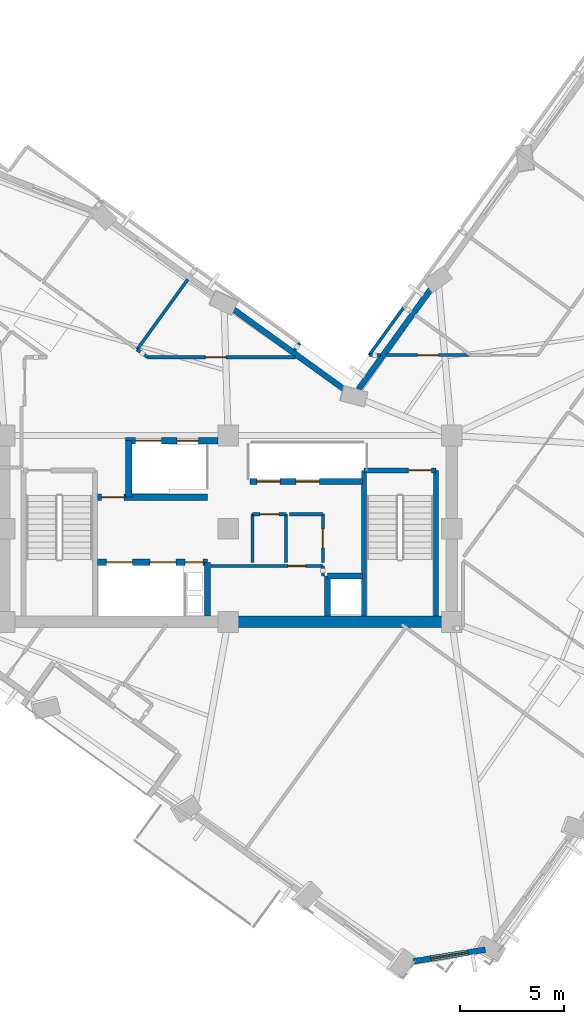
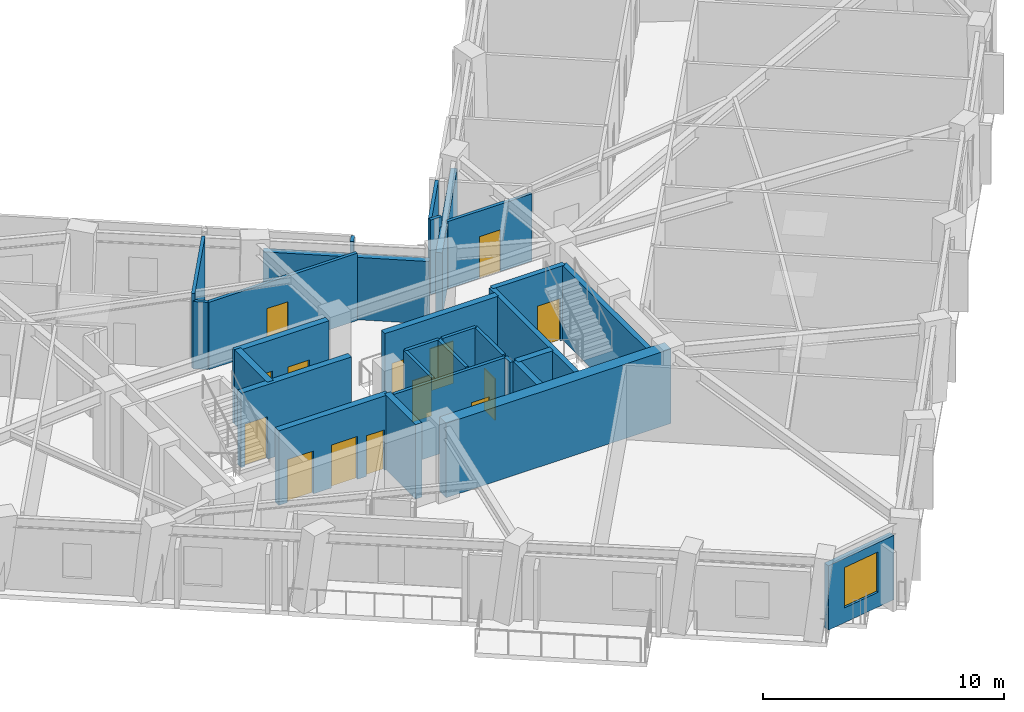
# One storey, part 5 of 13: 29 walls, 14 doors, 1 window, 15 openings.
"""IFC4 building model written with IfcOpenShell, lengths in metres."""

from ifc_helpers import new_model, si_unit, direction, frame, frame_2d, origin, place, context, subcontext, project, spatial, rectangle, extrude, material, layer, layer_set, type_object, element, fill, save


model = new_model("IFC4")

# Units and contexts
model_context = context("Model", 3, precision=1e-05, world=origin(), true_north=direction((0.0, 1.0)))
body_context = subcontext(model_context, "Body", "Model", "MODEL_VIEW")
ifc_project = project(units=[si_unit("LENGTHUNIT", "METRE"), si_unit("AREAUNIT", "SQUARE_METRE"), si_unit("VOLUMEUNIT", "CUBIC_METRE"), si_unit("PLANEANGLEUNIT", "RADIAN"), si_unit("MASSUNIT", "GRAM", prefix="KILO")], contexts=[model_context])

# Site, building, storey
site_placement = place(None, origin())
site = spatial("IfcSite", under=ifc_project, at=site_placement, CompositionType="ELEMENT")
building_placement = place(site_placement, origin())
building = spatial("IfcBuilding", under=site, at=building_placement, Name="Gaonmaruhae Medical Tower", CompositionType="ELEMENT")
storey_placement = place(building_placement, frame((0.0, 0.0, 255.199951171875)))
storey = spatial("IfcBuildingStorey", under=building, at=storey_placement, Name="L61", CompositionType="ELEMENT", Elevation=255.199951171875)

# Walls
ifc_material_1 = material(Name="Concrete C50/60", Category="concrete")
ifc_layer_1 = layer(ifc_material_1, 0.550048828125)
ifc_layer_set_1 = layer_set([ifc_layer_1], Name="Concrete C50/60")
wall_type_1 = type_object("IfcWallType", Name="CW-550 Mid-High Core Shear Wall", PredefinedType="SHEAR", material=ifc_layer_set_1)
wall_1_placement = place(storey_placement, frame((24.800048828125, 7.800048828125, 0.0), z_axis=(0.0, 0.0, 1.0), x_axis=(1.0, 0.0, 0.0)))
element("IfcWall", 1, at=wall_1_placement, inside=storey, type_object=wall_type_1, Name="L61 Core Shear Wall CSW-S2", PredefinedType="SHEAR", context=body_context, shape_type="SweptSolid", body=[
    extrude(rectangle(XDim=10.800048828125, YDim=0.550048828125, at=frame_2d((5.39990234375, 0.0))), origin(), (0.0, 0.0, 1.0), 3.780029296875),
])
ifc_material_2 = material(Name="Precast concrete C45/55", Category="concrete")
ifc_layer_2 = layer(ifc_material_2, 0.280029296875)
ifc_layer_set_2 = layer_set([ifc_layer_2], Name="Precast concrete C45/55")
wall_type_2 = type_object("IfcWallType", Name="EW-280 Upper Precast Masonry-Frame Facade Wall", PredefinedType="SOLIDWALL", material=ifc_layer_set_2)
wall_2_placement = place(storey_placement, frame((31.095703125, 19.02880859375, 0.0), z_axis=(0.0, 0.0, 1.0), x_axis=(0.585632397532, 0.810576766852, 0.0)))
element("IfcWall", 2, at=wall_2_placement, inside=storey, type_object=wall_type_2, Name="L61 Precast Masonry-Frame Wall EN02-KN01", PredefinedType="SOLIDWALL", context=body_context, shape_type="SweptSolid", body=[
    extrude(rectangle(XDim=6.158203125, YDim=0.280029296875, at=frame_2d((3.0791015625, 0.0))), origin(), (0.0, 0.0, 1.0), 3.26513671875),
])
wall_3_placement = place(storey_placement, frame((24.940185546875, 22.976318359375, 0.0), z_axis=(0.0, 0.0, 1.0), x_axis=(0.81054690161, -0.585673731945, 0.0)))
element("IfcWall", 3, at=wall_3_placement, inside=storey, type_object=wall_type_2, Name="L61 Precast Masonry-Frame Wall KN01-NE01", PredefinedType="SOLIDWALL", context=body_context, shape_type="SweptSolid", body=[
    extrude(rectangle(XDim=6.958251953125, YDim=0.280029296875, at=frame_2d((3.47900390625, 0.0))), origin(), (0.0, 0.0, 1.0), 3.1650390625),
])

# Wall, opening, window
wall_4_placement = place(storey_placement, frame((37.222412109375, -8.0283203125, 0.0), z_axis=(0.0, 0.0, 1.0), x_axis=(-0.987278717386, -0.158999164136, 0.0)))
wall_4 = element("IfcWall", 4, at=wall_4_placement, inside=storey, type_object=wall_type_2, Name="L61 Precast Masonry-Frame Wall W06-S01", PredefinedType="SOLIDWALL", context=body_context, shape_type="SweptSolid", body=[
    extrude(rectangle(XDim=3.520751953125, YDim=0.280029296875, at=frame_2d((1.76025390625, 0.0))), origin(), (0.0, 0.0, 1.0), 3.26513671875),
])
opening_1_placement = place(wall_4_placement, frame((0.859619140625, 0.0, 0.75)))
opening_1 = element("IfcOpeningElement", 5, at=opening_1_placement, cuts=wall_4, Name="Opening WN-04", PredefinedType="OPENING", context=body_context, shape_type="SweptSolid", body=[
    extrude(rectangle(XDim=1.800048828125, YDim=2.050048828125, at=frame_2d((0.89990234375, 1.02490234375))), frame((0.0, 0.14990234375, 0.0), z_axis=(0.0, -1.0, 0.0), x_axis=(1.0, 0.0, 0.0)), (0.0, 0.0, 1.0), 0.300048828125),
])
ifc_material_3 = material(Name="Anodised aluminium and Low-E double glazing", Category="aluminium")
window_type = type_object("IfcWindowType", Name="WN-04 Clinic & Consult Punched Window 1800x2050", PartitioningType="SINGLE_PANEL", PredefinedType="WINDOW", material=ifc_material_3)
window_placement = place(opening_1_placement, origin())
window = element("IfcWindow", 6, at=window_placement, inside=storey, type_object=window_type, Name="L61 Modular Facade Window W06", OverallHeight=2.050048828125, OverallWidth=1.800048828125, PartitioningType="SINGLE_PANEL", PredefinedType="WINDOW", context=body_context, shape_type="SweptSolid", body=[
    extrude(rectangle(XDim=1.800048828125, YDim=2.050048828125, at=frame_2d((0.89990234375, 1.02490234375))), frame((0.0, 0.030029296875, 0.0), z_axis=(0.0, -1.0, 0.0), x_axis=(1.0, 0.0, 0.0)), (0.0, 0.0, 1.0), 0.06005859375),
])
fill(opening_1, window)

# Wall, opening, door
ifc_material_4 = material(Name="Gypsum board partition", Category="gypsum")
ifc_layer_3 = layer(ifc_material_4, 0.14990234375)
ifc_layer_set_3 = layer_set([ifc_layer_3], Name="Gypsum board partition")
wall_type_3 = type_object("IfcWallType", Name="PW-150 Rated Clinical Corridor Partition", PredefinedType="PARTITIONING", material=ifc_layer_set_3)
wall_5_placement = place(storey_placement, frame((23.97998046875, 10.5, 0.0), z_axis=(0.0, 0.0, 1.0), x_axis=(1.0, 0.0, 0.0)))
wall_5 = element("IfcWall", 7, at=wall_5_placement, inside=storey, type_object=wall_type_3, Name="L61 Interior Partition L61-RCL1-1", PredefinedType="PARTITIONING", context=body_context, shape_type="SweptSolid", body=[
    extrude(rectangle(XDim=5.39990234375, YDim=0.14990234375, at=frame_2d((2.699951171875, 0.0))), origin(), (0.0, 0.0, 1.0), 3.780029296875),
])
opening_2_placement = place(wall_5_placement, frame((3.702880859375, 0.0, 0.0)))
opening_2 = element("IfcOpeningElement", 8, at=opening_2_placement, cuts=wall_5, Name="Opening AD-01", PredefinedType="OPENING", context=body_context, shape_type="SweptSolid", body=[
    extrude(rectangle(XDim=0.860107421875, YDim=2.06005859375, at=frame_2d((0.43017578125, 1.030029296875))), frame((0.0, 0.0849609375, 0.0), z_axis=(0.0, -1.0, 0.0), x_axis=(1.0, 0.0, 0.0)), (0.0, 0.0, 1.0), 0.169921875),
])
ifc_material_5 = material(Name="Powder-coated steel access door", Category="steel")
door_type_1 = type_object("IfcDoorType", Name="AD-01 Riser & Closet Access Fire Door 860x2060", OperationType="NOTDEFINED", PredefinedType="DOOR", material=ifc_material_5)
door_1_placement = place(opening_2_placement, origin())
door_1 = element("IfcDoor", 9, at=door_1_placement, inside=storey, type_object=door_type_1, Name="L61 Biomedical Infusion Preparation Room Sliding Door", OperationType="SLIDING_TO_LEFT", OverallHeight=2.06005859375, OverallWidth=0.860107421875, PredefinedType="DOOR", context=body_context, shape_type="SweptSolid", body=[
    extrude(rectangle(XDim=0.860107421875, YDim=2.06005859375, at=frame_2d((0.43017578125, 1.030029296875))), frame((0.0, 0.02490234375, 0.0), z_axis=(0.0, -1.0, 0.0), x_axis=(1.0, 0.0, 0.0)), (0.0, 0.0, 1.0), 0.050048828125),
])
fill(opening_2, door_1)

# Walls
wall_6_placement = place(storey_placement, frame((29.3798828125, 10.5, 0.0), z_axis=(0.0, 0.0, 1.0), x_axis=(0.0, -1.0, 0.0)))
element("IfcWall", 10, at=wall_6_placement, inside=storey, type_object=wall_type_3, Name="L61 Interior Partition L61-RCL1-2", PredefinedType="PARTITIONING", context=body_context, shape_type="SweptSolid", body=[
    extrude(rectangle(XDim=0.47998046875, YDim=0.14990234375, at=frame_2d((0.239990234375, 0.0))), origin(), (0.0, 0.0, 1.0), 3.780029296875),
])
wall_7_placement = place(storey_placement, frame((25.97998046875, 10.659912109375, 0.0), z_axis=(0.0, 0.0, 1.0), x_axis=(0.0, 1.0, 0.0)))
element("IfcWall", 11, at=wall_7_placement, inside=storey, type_object=wall_type_3, Name="L61 Interior Partition L61-CS1-3", PredefinedType="PARTITIONING", context=body_context, shape_type="SweptSolid", body=[
    extrude(rectangle(XDim=2.340087890625, YDim=0.14990234375, at=frame_2d((1.169921875, 0.0))), origin(), (0.0, 0.0, 1.0), 3.780029296875),
])

# Wall, opening, door
wall_8_placement = place(storey_placement, frame((25.97998046875, 13.0, 0.0), z_axis=(0.0, 0.0, 1.0), x_axis=(1.0, 0.0, 0.0)))
wall_8 = element("IfcWall", 12, at=wall_8_placement, inside=storey, type_object=wall_type_3, Name="L61 Interior Partition L61-CS1-4", PredefinedType="PARTITIONING", context=body_context, shape_type="SweptSolid", body=[
    extrude(rectangle(XDim=1.6201171875, YDim=0.14990234375, at=frame_2d((0.81005859375, 0.0))), origin(), (0.0, 0.0, 1.0), 3.780029296875),
])
opening_3_placement = place(wall_8_placement, frame((0.35009765625, 0.0, 0.0)))
opening_3 = element("IfcOpeningElement", 13, at=opening_3_placement, cuts=wall_8, Name="Opening UD-01", PredefinedType="OPENING", context=body_context, shape_type="SweptSolid", body=[
    extrude(rectangle(XDim=0.919921875, YDim=2.10009765625, at=frame_2d((0.4599609375, 1.050048828125))), frame((0.0, 0.0849609375, 0.0), z_axis=(0.0, -1.0, 0.0), x_axis=(1.0, 0.0, 0.0)), (0.0, 0.0, 1.0), 0.169921875),
])
ifc_material_6 = material(Name="Powder-coated steel utility door", Category="steel")
door_type_2 = type_object("IfcDoorType", Name="UD-01 Toilet, Utility & Housekeeping Door 920x2100", OperationType="NOTDEFINED", PredefinedType="DOOR", material=ifc_material_6)
door_2_placement = place(opening_3_placement, origin())
door_2 = element("IfcDoor", 14, at=door_2_placement, inside=storey, type_object=door_type_2, Name="L61 Accessible Staff Toilet Door", OperationType="SINGLE_SWING_RIGHT", OverallHeight=2.10009765625, OverallWidth=0.919921875, PredefinedType="DOOR", context=body_context, shape_type="SweptSolid", body=[
    extrude(rectangle(XDim=0.919921875, YDim=2.10009765625, at=frame_2d((0.4599609375, 1.050048828125))), frame((0.0, 0.02490234375, 0.0), z_axis=(0.0, -1.0, 0.0), x_axis=(1.0, 0.0, 0.0)), (0.0, 0.0, 1.0), 0.050048828125),
])
fill(opening_3, door_2)

# Walls
wall_9_placement = place(storey_placement, frame((27.60009765625, 13.0, 0.0), z_axis=(0.0, 0.0, 1.0), x_axis=(0.0, -1.0, 0.0)))
element("IfcWall", 15, at=wall_9_placement, inside=storey, type_object=wall_type_3, Name="L61 Interior Partition L61-CS1-5", PredefinedType="PARTITIONING", context=body_context, shape_type="SweptSolid", body=[
    extrude(rectangle(XDim=2.340087890625, YDim=0.14990234375, at=frame_2d((1.169921875, 0.0))), origin(), (0.0, 0.0, 1.0), 3.780029296875),
])
wall_10_placement = place(storey_placement, frame((27.760009765625, 13.0, 0.0), z_axis=(0.0, 0.0, 1.0), x_axis=(1.0, 0.0, 0.0)))
element("IfcWall", 16, at=wall_10_placement, inside=storey, type_object=wall_type_3, Name="L61 Interior Partition L61-CS2-6", PredefinedType="PARTITIONING", context=body_context, shape_type="SweptSolid", body=[
    extrude(rectangle(XDim=1.619873046875, YDim=0.14990234375, at=frame_2d((0.81005859375, 0.0))), origin(), (0.0, 0.0, 1.0), 3.780029296875),
])

# Wall, opening, door
wall_11_placement = place(storey_placement, frame((29.3798828125, 13.0, 0.0), z_axis=(0.0, 0.0, 1.0), x_axis=(0.0, -1.0, 0.0)))
wall_11 = element("IfcWall", 17, at=wall_11_placement, inside=storey, type_object=wall_type_3, Name="L61 Interior Partition L61-CS2-7", PredefinedType="PARTITIONING", context=body_context, shape_type="SweptSolid", body=[
    extrude(rectangle(XDim=2.340087890625, YDim=0.14990234375, at=frame_2d((1.169921875, 0.0))), origin(), (0.0, 0.0, 1.0), 3.780029296875),
])
opening_4_placement = place(wall_11_placement, frame((0.7099609375, 0.0, 0.0)))
opening_4 = element("IfcOpeningElement", 18, at=opening_4_placement, cuts=wall_11, Name="Opening UD-01", PredefinedType="OPENING", context=body_context, shape_type="SweptSolid", body=[
    extrude(rectangle(XDim=0.919921875, YDim=2.10009765625, at=frame_2d((0.4599609375, 1.050048828125))), frame((0.0, 0.0849609375, 0.0), z_axis=(0.0, -1.0, 0.0), x_axis=(1.0, 0.0, 0.0)), (0.0, 0.0, 1.0), 0.169921875),
])
door_3_placement = place(opening_4_placement, origin())
door_3 = element("IfcDoor", 19, at=door_3_placement, inside=storey, type_object=door_type_2, Name="L61 Biomedical Telemetry Closet Door", OperationType="SINGLE_SWING_LEFT", OverallHeight=2.10009765625, OverallWidth=0.919921875, PredefinedType="DOOR", context=body_context, shape_type="SweptSolid", body=[
    extrude(rectangle(XDim=0.919921875, YDim=2.10009765625, at=frame_2d((0.4599609375, 1.050048828125))), frame((0.0, 0.02490234375, 0.0), z_axis=(0.0, -1.0, 0.0), x_axis=(1.0, 0.0, 0.0)), (0.0, 0.0, 1.0), 0.050048828125),
])
fill(opening_4, door_3)

wall_12_placement = place(storey_placement, frame((28.04296875, 20.580078125, 0.0), z_axis=(0.0, 0.0, 1.0), x_axis=(-1.0, 0.0, 0.0)))
wall_12 = element("IfcWall", 20, at=wall_12_placement, inside=storey, type_object=wall_type_3, Name="L61 Interior Partition L61-IN01-76", PredefinedType="PARTITIONING", context=body_context, shape_type="SweptSolid", body=[
    extrude(rectangle(XDim=7.12890625, YDim=0.14990234375, at=frame_2d((3.564453125, 0.0))), origin(), (0.0, 0.0, 1.0), 3.4150390625),
])
opening_5_placement = place(wall_12_placement, frame((3.338134765625, 0.0, 0.0)))
opening_5 = element("IfcOpeningElement", 21, at=opening_5_placement, cuts=wall_12, Name="Opening CD-01", PredefinedType="OPENING", context=body_context, shape_type="SweptSolid", body=[
    extrude(rectangle(XDim=1.0, YDim=2.1201171875, at=frame_2d((0.5, 1.06005859375))), frame((0.0, 0.0849609375, 0.0), z_axis=(0.0, -1.0, 0.0), x_axis=(1.0, 0.0, 0.0)), (0.0, 0.0, 1.0), 0.169921875),
])
ifc_material_7 = material(Name="Antimicrobial laminate timber fire door", Category="wood")
door_type_3 = type_object("IfcDoorType", Name="CD-01 Consultation & Physician Office Door 1000x2120", OperationType="NOTDEFINED", PredefinedType="DOOR", material=ifc_material_7)
door_4_placement = place(opening_5_placement, origin())
door_4 = element("IfcDoor", 22, at=door_4_placement, inside=storey, type_object=door_type_3, Name="L61 Physician Consultation Office Door", OperationType="SINGLE_SWING_LEFT", OverallHeight=2.1201171875, OverallWidth=1.0, PredefinedType="DOOR", context=body_context, shape_type="SweptSolid", body=[
    extrude(rectangle(XDim=1.0, YDim=2.1201171875, at=frame_2d((0.5, 1.06005859375))), frame((0.0, 0.02490234375, 0.0), z_axis=(0.0, -1.0, 0.0), x_axis=(1.0, 0.0, 0.0)), (0.0, 0.0, 1.0), 0.050048828125),
])
fill(opening_5, door_4)

# Walls
wall_13_placement = place(storey_placement, frame((20.9140625, 20.580078125, 0.0), z_axis=(0.0, 0.0, 1.0), x_axis=(-0.810259680678, 0.586071028006, 0.0)))
element("IfcWall", 23, at=wall_13_placement, inside=storey, type_object=wall_type_3, Name="L61 Interior Partition L61-IN01-77", PredefinedType="PARTITIONING", context=body_context, shape_type="SweptSolid", body=[
    extrude(rectangle(XDim=0.62939453125, YDim=0.14990234375, at=frame_2d((0.314697265625, 0.0))), origin(), (0.0, 0.0, 1.0), 3.4150390625),
])
wall_14_placement = place(storey_placement, frame((20.404052734375, 20.948974609375, 0.0), z_axis=(0.0, 0.0, 1.0), x_axis=(0.585660941612, 0.810556143317, 0.0)))
element("IfcWall", 24, at=wall_14_placement, inside=storey, type_object=wall_type_3, Name="L61 Interior Partition L61-IN01-78", PredefinedType="PARTITIONING", context=body_context, shape_type="SweptSolid", body=[
    extrude(rectangle(XDim=4.184814453125, YDim=0.14990234375, at=frame_2d((2.09228515625, 0.0))), origin(), (0.0, 0.0, 1.0), 3.780029296875),
])
wall_15_placement = place(storey_placement, frame((28.25390625, 21.260009765625, 0.0), z_axis=(0.0, 0.0, 1.0), x_axis=(-0.584956490909, -0.811064672972, 0.0)))
element("IfcWall", 25, at=wall_15_placement, inside=storey, type_object=wall_type_3, Name="L61 Interior Partition L61-IN01-81", PredefinedType="PARTITIONING", context=body_context, shape_type="SweptSolid", body=[
    extrude(rectangle(XDim=0.43408203125, YDim=0.14990234375, at=frame_2d((0.217041015625, 0.0))), origin(), (0.0, 0.0, 1.0), 3.780029296875),
])
wall_16_placement = place(storey_placement, frame((31.610107421875, 20.679931640625, 0.0), z_axis=(0.0, 0.0, 1.0), x_axis=(0.585746760118, 0.810494128918, 0.0)))
element("IfcWall", 26, at=wall_16_placement, inside=storey, type_object=wall_type_3, Name="L61 Interior Partition L61-RM04-97", PredefinedType="PARTITIONING", context=body_context, shape_type="SweptSolid", body=[
    extrude(rectangle(XDim=2.8525390625, YDim=0.14990234375, at=frame_2d((1.42626953125, 0.0))), origin(), (0.0, 0.0, 1.0), 3.780029296875),
])

# Wall, opening, door
wall_17_placement = place(storey_placement, frame((36.47998046875, 20.679931640625, 0.0), z_axis=(0.0, 0.0, 1.0), x_axis=(-1.0, 0.0, 0.0)))
wall_17 = element("IfcWall", 27, at=wall_17_placement, inside=storey, type_object=wall_type_3, Name="L61 Interior Partition L61-RM04-98", PredefinedType="PARTITIONING", context=body_context, shape_type="SweptSolid", body=[
    extrude(rectangle(XDim=4.050048828125, YDim=0.14990234375, at=frame_2d((2.02490234375, 0.0))), origin(), (0.0, 0.0, 1.0), 3.4150390625),
])
opening_6_placement = place(wall_17_placement, frame((1.52490234375, 0.0, 0.0)))
opening_6 = element("IfcOpeningElement", 28, at=opening_6_placement, cuts=wall_17, Name="Opening CD-01", PredefinedType="OPENING", context=body_context, shape_type="SweptSolid", body=[
    extrude(rectangle(XDim=1.0, YDim=2.1201171875, at=frame_2d((0.5, 1.06005859375))), frame((0.0, 0.0849609375, 0.0), z_axis=(0.0, -1.0, 0.0), x_axis=(1.0, 0.0, 0.0)), (0.0, 0.0, 1.0), 0.169921875),
])
door_5_placement = place(opening_6_placement, origin())
door_5 = element("IfcDoor", 29, at=door_5_placement, inside=storey, type_object=door_type_3, Name="L61 Clinical Records Office Door", OperationType="SINGLE_SWING_RIGHT", OverallHeight=2.1201171875, OverallWidth=1.0, PredefinedType="DOOR", context=body_context, shape_type="SweptSolid", body=[
    extrude(rectangle(XDim=1.0, YDim=2.1201171875, at=frame_2d((0.5, 1.06005859375))), frame((0.0, 0.02490234375, 0.0), z_axis=(0.0, -1.0, 0.0), x_axis=(1.0, 0.0, 0.0)), (0.0, 0.0, 1.0), 0.050048828125),
])
fill(opening_6, door_5)

# Wall
wall_18_placement = place(storey_placement, frame((32.14697265625, 20.679931640625, 0.0), z_axis=(0.0, 0.0, 1.0), x_axis=(-1.0, 0.0, 0.0)))
element("IfcWall", 30, at=wall_18_placement, inside=storey, type_object=wall_type_3, Name="L61 Interior Partition L61-RM04-99", PredefinedType="PARTITIONING", context=body_context, shape_type="SweptSolid", body=[
    extrude(rectangle(XDim=0.536865234375, YDim=0.14990234375, at=frame_2d((0.2685546875, 0.0))), origin(), (0.0, 0.0, 1.0), 3.780029296875),
])

# Wall, opening, door
ifc_layer_4 = layer(ifc_material_1, 0.239990234375)
ifc_layer_set_4 = layer_set([ifc_layer_4], Name="Concrete C50/60")
wall_type_4 = type_object("IfcWallType", Name="SW-240 Dogleg Stair Tight Shaft Wall", PredefinedType="SOLIDWALL", material=ifc_layer_set_4)
wall_19_placement = place(storey_placement, frame((31.3701171875, 15.1201171875, 0.0), z_axis=(0.0, 0.0, 1.0), x_axis=(1.0, 0.0, 0.0)))
wall_19 = element("IfcWall", 31, at=wall_19_placement, inside=storey, type_object=wall_type_4, Name="L61 ST-02 Stair Shaft Wall SHW-ST-02-N", PredefinedType="SOLIDWALL", context=body_context, shape_type="SweptSolid", body=[
    extrude(rectangle(XDim=3.4599609375, YDim=0.239990234375, at=frame_2d((1.72998046875, 0.0))), origin(), (0.0, 0.0, 1.0), 3.780029296875),
])
opening_7_placement = place(wall_19_placement, frame((2.139892578125, 0.0, 0.0)))
opening_7 = element("IfcOpeningElement", 32, at=opening_7_placement, cuts=wall_19, Name="Opening FD-01", PredefinedType="OPENING", context=body_context, shape_type="SweptSolid", body=[
    extrude(rectangle(XDim=1.10009765625, YDim=2.14990234375, at=frame_2d((0.550048828125, 1.074951171875))), frame((0.0, 0.1298828125, 0.0), z_axis=(0.0, -1.0, 0.0), x_axis=(1.0, 0.0, 0.0)), (0.0, 0.0, 1.0), 0.260009765625),
])
ifc_material_8 = material(Name="Powder-coated steel fire door", Category="steel")
door_type_4 = type_object("IfcDoorType", Name="FD-01 Escape Stair Protected Fire Door 1100x2150", OperationType="NOTDEFINED", PredefinedType="DOOR", material=ifc_material_8)
door_6_placement = place(opening_7_placement, origin())
door_6 = element("IfcDoor", 33, at=door_6_placement, inside=storey, type_object=door_type_4, Name="L61 ST-02 Protected Escape Stair Door", OperationType="SINGLE_SWING_RIGHT", OverallHeight=2.14990234375, OverallWidth=1.10009765625, PredefinedType="DOOR", context=body_context, shape_type="SweptSolid", body=[
    extrude(rectangle(XDim=1.10009765625, YDim=2.14990234375, at=frame_2d((0.550048828125, 1.074951171875))), frame((0.0, 0.02490234375, 0.0), z_axis=(0.0, -1.0, 0.0), x_axis=(1.0, 0.0, 0.0)), (0.0, 0.0, 1.0), 0.050048828125),
])
fill(opening_7, door_6)

# Walls
for number, where, z_axis, x_axis, name in (
    (34, (34.830078125, 15.1201171875, 0.0), (0.0, 0.0, 1.0), (0.0, -1.0, 0.0), "L61 ST-02 Stair Shaft Wall SHW-ST-02-E"),
    (35, (31.3701171875, 8.074951171875, 0.0), (0.0, 0.0, 1.0), (0.0, 1.0, 0.0), "L61 ST-02 Stair Shaft Wall SHW-ST-02-W"),
):
    element("IfcWall", number, at=place(storey_placement, frame(where, z_axis=z_axis, x_axis=x_axis)), inside=storey, type_object=wall_type_4, Name=name, PredefinedType="SOLIDWALL", context=body_context, shape_type="SweptSolid", body=[
        extrude(rectangle(XDim=7.045166015625, YDim=0.239990234375, at=frame_2d((3.5224609375, 0.0))), origin(), (0.0, 0.0, 1.0), 3.780029296875),
    ])

# Wall, openings, doors
ifc_layer_5 = layer(ifc_material_1, 0.300048828125)
ifc_layer_set_5 = layer_set([ifc_layer_5], Name="Concrete C50/60")
wall_type_5 = type_object("IfcWallType", Name="SW-300 Stair & Lift Hoistway Shaft Wall", PredefinedType="SOLIDWALL", material=ifc_layer_set_5)
wall_20_placement = place(storey_placement, frame((19.85009765625, 16.550048828125, 0.0), z_axis=(0.0, 0.0, 1.0), x_axis=(1.0, 0.0, 0.0)))
wall_20 = element("IfcWall", 36, at=wall_20_placement, inside=storey, type_object=wall_type_5, Name="L61 Core Shear Wall CSW-NB", PredefinedType="SOLIDWALL", context=body_context, shape_type="SweptSolid", body=[
    extrude(rectangle(XDim=4.449951171875, YDim=0.300048828125, at=frame_2d((2.22509765625, 0.0))), origin(), (0.0, 0.0, 1.0), 3.780029296875),
])
opening_8_placement = place(wall_20_placement, frame((0.47509765625, 0.0, 0.0)))
opening_8 = element("IfcOpeningElement", 37, at=opening_8_placement, cuts=wall_20, Name="Opening LD-F1", PredefinedType="OPENING", context=body_context, shape_type="SweptSolid", body=[
    extrude(rectangle(XDim=1.25, YDim=2.179931640625, at=frame_2d((0.625, 1.08984375))), frame((0.0, 0.16015625, 0.0), z_axis=(0.0, -1.0, 0.0), x_axis=(1.0, 0.0, 0.0)), (0.0, 0.0, 1.0), 0.320068359375),
])
opening_9_placement = place(wall_20_placement, frame((2.489990234375, 0.0, 0.0)))
opening_9 = element("IfcOpeningElement", 38, at=opening_9_placement, cuts=wall_20, Name="Opening LD-S1", PredefinedType="OPENING", context=body_context, shape_type="SweptSolid", body=[
    extrude(rectangle(XDim=1.02001953125, YDim=2.1201171875, at=frame_2d((0.510009765625, 1.06005859375))), frame((0.0, 0.16015625, 0.0), z_axis=(0.0, -1.0, 0.0), x_axis=(1.0, 0.0, 0.0)), (0.0, 0.0, 1.0), 0.320068359375),
])
ifc_material_9 = material(Name="Brushed stainless steel 316L landing door", Category="steel")
door_type_5 = type_object("IfcDoorType", Name="LD-F1 Firefighting & Bed Lift Sliding Landing Door 1250x2180", OperationType="NOTDEFINED", PredefinedType="DOOR", material=ifc_material_9)
door_7_placement = place(opening_8_placement, origin())
door_7 = element("IfcDoor", 39, at=door_7_placement, inside=storey, type_object=door_type_5, Name="L61 Service/Bed Lift Landing Door BDL-01", OperationType="DOUBLE_DOOR_SLIDING", OverallHeight=2.179931640625, OverallWidth=1.25, PredefinedType="DOOR", context=body_context, shape_type="SweptSolid", body=[
    extrude(rectangle(XDim=1.25, YDim=2.179931640625, at=frame_2d((0.625, 1.08984375))), frame((0.0, 0.02490234375, 0.0), z_axis=(0.0, -1.0, 0.0), x_axis=(1.0, 0.0, 0.0)), (0.0, 0.0, 1.0), 0.050048828125),
])
fill(opening_8, door_7)
ifc_material_10 = material(Name="Brushed stainless steel 304 landing door", Category="steel")
door_type_6 = type_object("IfcDoorType", Name="LD-S1 Service Lift Sliding Landing Door 1020x2120", OperationType="NOTDEFINED", PredefinedType="DOOR", material=ifc_material_10)
door_8_placement = place(opening_9_placement, origin())
door_8 = element("IfcDoor", 40, at=door_8_placement, inside=storey, type_object=door_type_6, Name="L61 Service/Bed Lift Landing Door SVL-01", OperationType="SLIDING_TO_LEFT", OverallHeight=2.1201171875, OverallWidth=1.02001953125, PredefinedType="DOOR", context=body_context, shape_type="SweptSolid", body=[
    extrude(rectangle(XDim=1.02001953125, YDim=2.1201171875, at=frame_2d((0.510009765625, 1.06005859375))), frame((0.0, 0.02490234375, 0.0), z_axis=(0.0, -1.0, 0.0), x_axis=(1.0, 0.0, 0.0)), (0.0, 0.0, 1.0), 0.050048828125),
])
fill(opening_9, door_8)

wall_21_placement = place(storey_placement, frame((18.5, 10.679931640625, 0.0), z_axis=(0.0, 0.0, 1.0), x_axis=(1.0, 0.0, 0.0)))
wall_21 = element("IfcWall", 41, at=wall_21_placement, inside=storey, type_object=wall_type_5, Name="L61 Shaft Enclosure Wall SHW-FFN", PredefinedType="SOLIDWALL", context=body_context, shape_type="SweptSolid", body=[
    extrude(rectangle(XDim=5.300048828125, YDim=0.300048828125, at=frame_2d((2.64990234375, 0.0))), origin(), (0.0, 0.0, 1.0), 3.780029296875),
])
opening_10_placement = place(wall_21_placement, frame((4.219970703125, 0.0, 0.0)))
opening_10 = element("IfcOpeningElement", 42, at=opening_10_placement, cuts=wall_21, Name="Opening AD-01", PredefinedType="OPENING", context=body_context, shape_type="SweptSolid", body=[
    extrude(rectangle(XDim=0.860107421875, YDim=2.06005859375, at=frame_2d((0.43017578125, 1.030029296875))), frame((0.0, 0.16015625, 0.0), z_axis=(0.0, -1.0, 0.0), x_axis=(1.0, 0.0, 0.0)), (0.0, 0.0, 1.0), 0.320068359375),
])
opening_11_placement = place(wall_21_placement, frame((0.425048828125, 0.0, 0.0)))
opening_11 = element("IfcOpeningElement", 43, at=opening_11_placement, cuts=wall_21, Name="Opening LD-F1", PredefinedType="OPENING", context=body_context, shape_type="SweptSolid", body=[
    extrude(rectangle(XDim=1.25, YDim=2.179931640625, at=frame_2d((0.625, 1.08984375))), frame((0.0, 0.16015625, 0.0), z_axis=(0.0, -1.0, 0.0), x_axis=(1.0, 0.0, 0.0)), (0.0, 0.0, 1.0), 0.320068359375),
])
opening_12_placement = place(wall_21_placement, frame((2.52490234375, 0.0, 0.0)))
opening_12 = element("IfcOpeningElement", 44, at=opening_12_placement, cuts=wall_21, Name="Opening LD-F1", PredefinedType="OPENING", context=body_context, shape_type="SweptSolid", body=[
    extrude(rectangle(XDim=1.25, YDim=2.179931640625, at=frame_2d((0.625, 1.08984375))), frame((0.0, 0.16015625, 0.0), z_axis=(0.0, -1.0, 0.0), x_axis=(1.0, 0.0, 0.0)), (0.0, 0.0, 1.0), 0.320068359375),
])
door_9_placement = place(opening_10_placement, origin())
door_9 = element("IfcDoor", 45, at=door_9_placement, inside=storey, type_object=door_type_1, Name="L61 Medical Gas and MEP Riser Access Door", OperationType="SINGLE_SWING_RIGHT", OverallHeight=2.06005859375, OverallWidth=0.860107421875, PredefinedType="DOOR", context=body_context, shape_type="SweptSolid", body=[
    extrude(rectangle(XDim=0.860107421875, YDim=2.06005859375, at=frame_2d((0.43017578125, 1.030029296875))), frame((0.0, 0.02490234375, 0.0), z_axis=(0.0, -1.0, 0.0), x_axis=(1.0, 0.0, 0.0)), (0.0, 0.0, 1.0), 0.050048828125),
])
fill(opening_10, door_9)
door_10_placement = place(opening_11_placement, origin())
door_10 = element("IfcDoor", 46, at=door_10_placement, inside=storey, type_object=door_type_5, Name="L61 Firefighting Lift Landing Door FFL-01", OperationType="DOUBLE_DOOR_SLIDING", OverallHeight=2.179931640625, OverallWidth=1.25, PredefinedType="DOOR", context=body_context, shape_type="SweptSolid", body=[
    extrude(rectangle(XDim=1.25, YDim=2.179931640625, at=frame_2d((0.625, 1.08984375))), frame((0.0, 0.02490234375, 0.0), z_axis=(0.0, -1.0, 0.0), x_axis=(1.0, 0.0, 0.0)), (0.0, 0.0, 1.0), 0.050048828125),
])
fill(opening_11, door_10)
door_11_placement = place(opening_12_placement, origin())
door_11 = element("IfcDoor", 47, at=door_11_placement, inside=storey, type_object=door_type_5, Name="L61 Firefighting Lift Landing Door FFL-02", OperationType="DOUBLE_DOOR_SLIDING", OverallHeight=2.179931640625, OverallWidth=1.25, PredefinedType="DOOR", context=body_context, shape_type="SweptSolid", body=[
    extrude(rectangle(XDim=1.25, YDim=2.179931640625, at=frame_2d((0.625, 1.08984375))), frame((0.0, 0.02490234375, 0.0), z_axis=(0.0, -1.0, 0.0), x_axis=(1.0, 0.0, 0.0)), (0.0, 0.0, 1.0), 0.050048828125),
])
fill(opening_12, door_11)

# Wall, opening, door
wall_22_placement = place(storey_placement, frame((18.5, 13.820068359375, 0.0), z_axis=(0.0, 0.0, 1.0), x_axis=(1.0, 0.0, 0.0)))
wall_22 = element("IfcWall", 48, at=wall_22_placement, inside=storey, type_object=wall_type_5, Name="L61 Shaft Enclosure Wall SHW-FFL", PredefinedType="SOLIDWALL", context=body_context, shape_type="SweptSolid", body=[
    extrude(rectangle(XDim=5.300048828125, YDim=0.300048828125, at=frame_2d((2.64990234375, 0.0))), origin(), (0.0, 0.0, 1.0), 3.780029296875),
])
opening_13_placement = place(wall_22_placement, frame((0.179931640625, 0.0, 0.0)))
opening_13 = element("IfcOpeningElement", 49, at=opening_13_placement, cuts=wall_22, Name="Opening FD-01", PredefinedType="OPENING", context=body_context, shape_type="SweptSolid", body=[
    extrude(rectangle(XDim=1.10009765625, YDim=2.14990234375, at=frame_2d((0.550048828125, 1.074951171875))), frame((0.0, 0.16015625, 0.0), z_axis=(0.0, -1.0, 0.0), x_axis=(1.0, 0.0, 0.0)), (0.0, 0.0, 1.0), 0.320068359375),
])
door_12_placement = place(opening_13_placement, origin())
door_12 = element("IfcDoor", 50, at=door_12_placement, inside=storey, type_object=door_type_4, Name="L61 Firefighting Lobby Smoke Door", OperationType="SINGLE_SWING_LEFT", OverallHeight=2.14990234375, OverallWidth=1.10009765625, PredefinedType="DOOR", context=body_context, shape_type="SweptSolid", body=[
    extrude(rectangle(XDim=1.10009765625, YDim=2.14990234375, at=frame_2d((0.550048828125, 1.074951171875))), frame((0.0, 0.02490234375, 0.0), z_axis=(0.0, -1.0, 0.0), x_axis=(1.0, 0.0, 0.0)), (0.0, 0.0, 1.0), 0.050048828125),
])
fill(opening_13, door_12)

# Walls
wall_23_placement = place(storey_placement, frame((23.800048828125, 8.074951171875, 0.0), z_axis=(0.0, 0.0, 1.0), x_axis=(0.0, 1.0, 0.0)))
element("IfcWall", 51, at=wall_23_placement, inside=storey, type_object=wall_type_5, Name="L61 Shaft Enclosure Wall SHW-FFE", PredefinedType="SOLIDWALL", context=body_context, shape_type="SweptSolid", body=[
    extrude(rectangle(XDim=2.60498046875, YDim=0.300048828125, at=frame_2d((1.302490234375, 0.0))), origin(), (0.0, 0.0, 1.0), 3.780029296875),
])
wall_24_placement = place(storey_placement, frame((20.0, 13.820068359375, 0.0), z_axis=(0.0, 0.0, 1.0), x_axis=(0.0, 1.0, 0.0)))
element("IfcWall", 52, at=wall_24_placement, inside=storey, type_object=wall_type_5, Name="L61 Shaft Enclosure Wall SHW-BDW", PredefinedType="SOLIDWALL", context=body_context, shape_type="SweptSolid", body=[
    extrude(rectangle(XDim=2.72998046875, YDim=0.300048828125, at=frame_2d((1.364990234375, 0.0))), origin(), (0.0, 0.0, 1.0), 3.780029296875),
])
wall_25_placement = place(storey_placement, frame((29.60009765625, 10.02001953125, 0.0), z_axis=(0.0, 0.0, 1.0), x_axis=(1.0, 0.0, 0.0)))
element("IfcWall", 53, at=wall_25_placement, inside=storey, type_object=wall_type_5, Name="L61 Shaft Enclosure Wall SHW-PLS", PredefinedType="SOLIDWALL", context=body_context, shape_type="SweptSolid", body=[
    extrude(rectangle(XDim=1.699951171875, YDim=0.300048828125, at=frame_2d((0.85009765625, 0.0))), origin(), (0.0, 0.0, 1.0), 3.780029296875),
])
wall_26_placement = place(storey_placement, frame((29.60009765625, 8.074951171875, 0.0), z_axis=(0.0, 0.0, 1.0), x_axis=(0.0, 1.0, 0.0)))
element("IfcWall", 54, at=wall_26_placement, inside=storey, type_object=wall_type_5, Name="L61 Shaft Enclosure Wall SHW-PLD1", PredefinedType="SOLIDWALL", context=body_context, shape_type="SweptSolid", body=[
    extrude(rectangle(XDim=1.945068359375, YDim=0.300048828125, at=frame_2d((0.97265625, 0.0))), origin(), (0.0, 0.0, 1.0), 3.780029296875),
])

# Wall, openings, doors
wall_27_placement = place(storey_placement, frame((25.85009765625, 14.580078125, 0.0), z_axis=(0.0, 0.0, 1.0), x_axis=(1.0, 0.0, 0.0)))
wall_27 = element("IfcWall", 55, at=wall_27_placement, inside=storey, type_object=wall_type_5, Name="L61 Shaft Enclosure Wall SHW-PLN", PredefinedType="SOLIDWALL", context=body_context, shape_type="SweptSolid", body=[
    extrude(rectangle(XDim=5.449951171875, YDim=0.300048828125, at=frame_2d((2.72509765625, 0.0))), origin(), (0.0, 0.0, 1.0), 3.780029296875),
])
opening_14_placement = place(wall_27_placement, frame((0.340087890625, 0.0, 0.0)))
opening_14 = element("IfcOpeningElement", 56, at=opening_14_placement, cuts=wall_27, Name="Opening LD-P1", PredefinedType="OPENING", context=body_context, shape_type="SweptSolid", body=[
    extrude(rectangle(XDim=1.1201171875, YDim=2.14990234375, at=frame_2d((0.56005859375, 1.074951171875))), frame((0.0, 0.16015625, 0.0), z_axis=(0.0, -1.0, 0.0), x_axis=(1.0, 0.0, 0.0)), (0.0, 0.0, 1.0), 0.320068359375),
])
opening_15_placement = place(wall_27_placement, frame((2.239990234375, 0.0, 0.0)))
opening_15 = element("IfcOpeningElement", 57, at=opening_15_placement, cuts=wall_27, Name="Opening LD-P1", PredefinedType="OPENING", context=body_context, shape_type="SweptSolid", body=[
    extrude(rectangle(XDim=1.1201171875, YDim=2.14990234375, at=frame_2d((0.56005859375, 1.074951171875))), frame((0.0, 0.16015625, 0.0), z_axis=(0.0, -1.0, 0.0), x_axis=(1.0, 0.0, 0.0)), (0.0, 0.0, 1.0), 0.320068359375),
])
door_type_7 = type_object("IfcDoorType", Name="LD-P1 Passenger Lift Sliding Landing Door 1120x2150", OperationType="NOTDEFINED", PredefinedType="DOOR", material=ifc_material_10)
door_13_placement = place(opening_14_placement, origin())
door_13 = element("IfcDoor", 58, at=door_13_placement, inside=storey, type_object=door_type_7, Name="L61 Passenger Lift Landing Door PL-M1", OperationType="DOUBLE_DOOR_SLIDING", OverallHeight=2.14990234375, OverallWidth=1.1201171875, PredefinedType="DOOR", context=body_context, shape_type="SweptSolid", body=[
    extrude(rectangle(XDim=1.1201171875, YDim=2.14990234375, at=frame_2d((0.56005859375, 1.074951171875))), frame((0.0, 0.02490234375, 0.0), z_axis=(0.0, -1.0, 0.0), x_axis=(1.0, 0.0, 0.0)), (0.0, 0.0, 1.0), 0.050048828125),
])
fill(opening_14, door_13)
door_14_placement = place(opening_15_placement, origin())
door_14 = element("IfcDoor", 59, at=door_14_placement, inside=storey, type_object=door_type_7, Name="L61 Passenger Lift Landing Door PL-M2", OperationType="DOUBLE_DOOR_SLIDING", OverallHeight=2.14990234375, OverallWidth=1.1201171875, PredefinedType="DOOR", context=body_context, shape_type="SweptSolid", body=[
    extrude(rectangle(XDim=1.1201171875, YDim=2.14990234375, at=frame_2d((0.56005859375, 1.074951171875))), frame((0.0, 0.02490234375, 0.0), z_axis=(0.0, -1.0, 0.0), x_axis=(1.0, 0.0, 0.0)), (0.0, 0.0, 1.0), 0.050048828125),
])
fill(opening_15, door_14)

save(model, "model.ifc")
